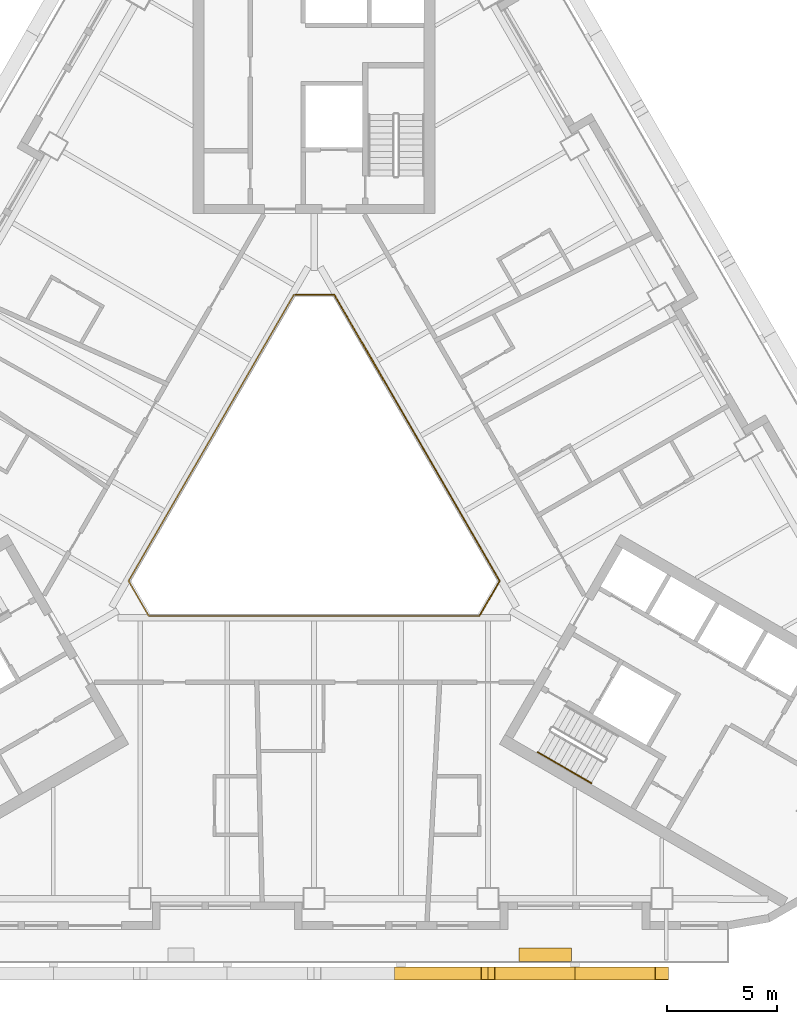
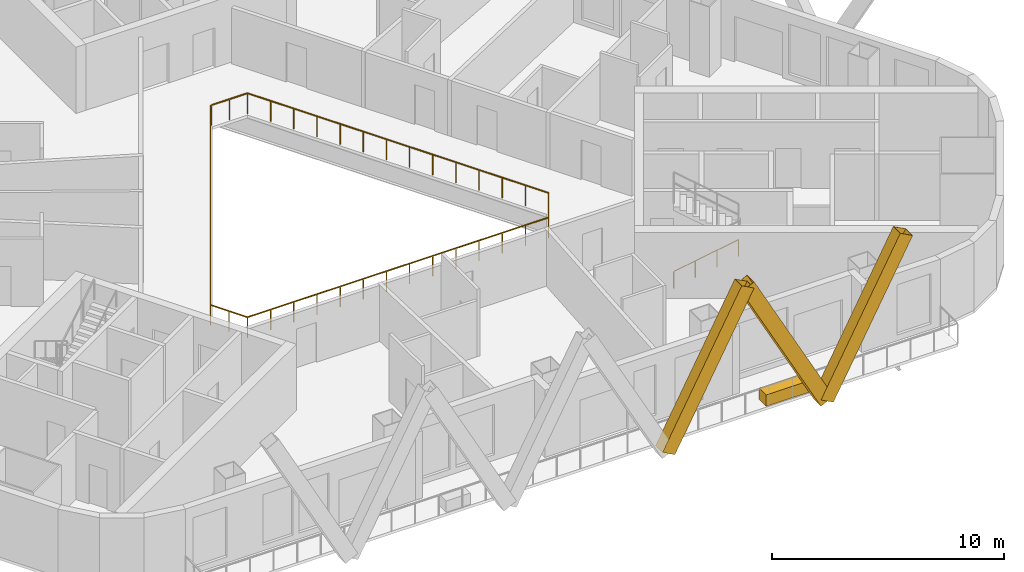
# One storey, part 10 of 13: 3 railings, 3 shading devices, 1 covering.
"""IFC4 building model written with IfcOpenShell, lengths in metres."""

import ifcopenshell
import ifcopenshell.guid

model = None  # the IFC model being written
_history = None  # IfcOwnerHistory: only IFC2X3 demands one
_inside = {}  # id of a spatial element -> (the spatial element, [elements in it])
_under = {}  # id of a project, library or spatial element -> (it, [spatial elements below it])
_declared = {}  # id of a project -> (the project, [libraries it declares])
_typed = {}  # id of a type object -> (the type object, [elements of that type])
_made_of = {}  # id of a material, layer set ... -> (it, [elements and type objects made of it])


def new_model(schema):
    """Start an empty IFC model of exactly this schema.

    Asked for "IFC4X3", IfcOpenShell would pick the latest addendum, in which some entities
    have other attributes; the version numbers below select the first issue.
    IFC2X3 requires an IfcOwnerHistory on every rooted entity: one is made here for all.
    """
    global model, _history
    if schema == "IFC4X3":
        model = ifcopenshell.file(schema_version=(4, 3, 0, 0))
    else:
        model = ifcopenshell.file(schema=schema)
    _inside.clear()
    _under.clear()
    _declared.clear()
    _typed.clear()
    _made_of.clear()
    _history = None
    if model.schema == "IFC2X3":
        org = make("IfcOrganization", Name="unknown")
        user = make(
            "IfcPersonAndOrganization",
            ThePerson=make("IfcPerson", FamilyName="unknown"),
            TheOrganization=org,
        )
        app = make(
            "IfcApplication",
            ApplicationDeveloper=org,
            Version="unknown",
            ApplicationFullName="unknown",
            ApplicationIdentifier="unknown",
        )
        _history = make(
            "IfcOwnerHistory",
            OwningUser=user,
            OwningApplication=app,
            ChangeAction="ADDED",
            CreationDate=0,
        )
    return model


def make(cls, **values):
    """One entity of the class cls with the attributes given. An attribute that is None is left unset."""
    return model.create_entity(
        cls, **{name: value for name, value in values.items() if value is not None}
    )


def rooted(cls, **values):
    """An entity with a GlobalId (a new one), such as an element, a storey or a relation."""
    return make(cls, GlobalId=ifcopenshell.guid.new(), OwnerHistory=_history, **values)


def si_unit(unit_type, name, prefix=None):
    """IfcSIUnit, for example si_unit("LENGTHUNIT", "METRE", prefix="MILLI")."""
    return make("IfcSIUnit", UnitType=unit_type, Prefix=prefix, Name=name)


def assignment(units):
    """IfcUnitAssignment: the units of a project."""
    return None if units is None else make("IfcUnitAssignment", Units=units)


def point(xyz):
    """IfcCartesianPoint."""
    return None if xyz is None else make("IfcCartesianPoint", Coordinates=xyz)


def direction(xyz):
    """IfcDirection."""
    return None if xyz is None else make("IfcDirection", DirectionRatios=xyz)


def frame(location, z_axis=None, x_axis=None):
    """IfcAxis2Placement3D, a coordinate frame: its origin and axes. An axis left out is left unset."""
    return make(
        "IfcAxis2Placement3D",
        Location=point(location),
        Axis=direction(z_axis),
        RefDirection=direction(x_axis),
    )


def frame_2d(location, x_axis=None):
    """IfcAxis2Placement2D, a coordinate frame in the plane: its origin and x axis."""
    return make(
        "IfcAxis2Placement2D", Location=point(location), RefDirection=direction(x_axis)
    )


def origin():
    """The frame at (0, 0, 0) with its axes left unset."""
    return frame((0.0, 0.0, 0.0))


def origin_2d():
    """The frame at (0, 0) in the plane with its x axis left unset."""
    return frame_2d((0.0, 0.0))


def place(relative_to, where):
    """IfcLocalPlacement: puts the frame where relative to a parent placement (None: the world)."""
    return make(
        "IfcLocalPlacement", PlacementRelTo=relative_to, RelativePlacement=where
    )


def context(
    kind, dimensions, precision=None, world=None, true_north=None, identifier=None
):
    """IfcGeometricRepresentationContext, for example the 3D "Model" context."""
    return make(
        "IfcGeometricRepresentationContext",
        ContextIdentifier=identifier,
        ContextType=kind,
        CoordinateSpaceDimension=dimensions,
        Precision=precision,
        WorldCoordinateSystem=world,
        TrueNorth=true_north,
    )


def subcontext(parent, identifier, kind, view, scale=None):
    """IfcGeometricRepresentationSubContext, for example "Body" below "Model"."""
    return make(
        "IfcGeometricRepresentationSubContext",
        ContextIdentifier=identifier,
        ContextType=kind,
        ParentContext=parent,
        TargetScale=scale,
        TargetView=view,
    )


def project(units=None, contexts=None):
    """IfcProject with its units and contexts."""
    return rooted(
        "IfcProject",
        Name="project",
        RepresentationContexts=contexts,
        UnitsInContext=assignment(units),
    )


def spatial(cls, under=None, at=None, **own):
    """A site, building, storey or space (cls), placed at a placement, below another one or the project."""
    s = rooted(cls, ObjectPlacement=at, **own)
    if under is not None:
        _under.setdefault(under.id(), (under, []))[1].append(s)
    return s


def profile(cls, at=None, kind="AREA", **sizes):
    """A parametric profile (cls). Its sizes go by their IFC names, for example OverallWidth=200.0."""
    return make(cls, ProfileType=kind, Position=at, **sizes)


def rectangle(**sizes):
    """IfcRectangleProfileDef."""
    return profile("IfcRectangleProfileDef", **sizes)


def hollow_rectangle(**sizes):
    """IfcRectangleHollowProfileDef."""
    return profile("IfcRectangleHollowProfileDef", **sizes)


def circle(**sizes):
    """IfcCircleProfileDef."""
    return profile("IfcCircleProfileDef", **sizes)


def extrude(swept, where, along, depth):
    """IfcExtrudedAreaSolid: the profile swept, set in the frame where, extruded along a direction by depth."""
    return make(
        "IfcExtrudedAreaSolid",
        SweptArea=swept,
        Position=where,
        ExtrudedDirection=direction(along),
        Depth=depth,
    )


def shape(context_of_items, identifier, shape_type, items):
    """IfcShapeRepresentation: the items that make up one representation, for example the "Body"."""
    return make(
        "IfcShapeRepresentation",
        ContextOfItems=context_of_items,
        RepresentationIdentifier=identifier,
        RepresentationType=shape_type,
        Items=items,
    )


def material(Name=None, Category=None):
    """IfcMaterial."""
    return make("IfcMaterial", Name=Name, Category=Category)


def material_profile(
    of_material, cross_section, Name=None, Category=None, Priority=None
):
    """IfcMaterialProfile: a cross section and its material."""
    return make(
        "IfcMaterialProfile",
        Name=Name,
        Material=of_material,
        Profile=cross_section,
        Priority=Priority,
        Category=Category,
    )


def profile_set(profiles, Name=None, composite=None):
    """IfcMaterialProfileSet."""
    return make(
        "IfcMaterialProfileSet",
        Name=Name,
        MaterialProfiles=profiles,
        CompositeProfile=composite,
    )


def made_of(thing, what):
    """Note that an element or type object is made of a material, layer set ...; save() writes the relation."""
    if what is not None:
        _made_of.setdefault(what.id(), (what, []))[1].append(thing)
    return thing


def type_object(cls, material=None, **own):
    """A type object (cls), such as IfcWallType, which elements share."""
    return made_of(rooted(cls, **own), material)


def element(
    cls,
    number,
    at=None,
    inside=None,
    cuts=None,
    type_object=None,
    material=None,
    context=None,
    identifier="Body",
    shape_type=None,
    held_by="IfcProductDefinitionShape",
    body=None,
    shapes=None,
    **own,
):
    """One element of the class cls, such as IfcWall. Its Tag is "e" and its number.

    at: its placement. inside: the storey or other place that contains it. cuts: it is an
    opening in that element (IfcRelVoidsElement). A single representation is given by context,
    identifier, shape_type and body (its items); several are given by shapes. held_by: the class
    of the entity that holds the representations. save() writes the other relations.
    """
    e = rooted(cls, Tag="e%d" % number, ObjectPlacement=at, **own)
    if body is not None:
        shapes = [shape(context, identifier, shape_type, body)]
    if shapes is not None:
        e.Representation = make(held_by, Representations=shapes)
    if inside is not None:
        _inside.setdefault(inside.id(), (inside, []))[1].append(e)
    if cuts is not None:
        rooted(
            "IfcRelVoidsElement", RelatingBuildingElement=cuts, RelatedOpeningElement=e
        )
    if type_object is not None:
        _typed.setdefault(type_object.id(), (type_object, []))[1].append(e)
    return made_of(e, material)


def aggregate(whole, parts):
    """IfcRelAggregates: a whole, such as a stair, and the parts it consists of."""
    return rooted("IfcRelAggregates", RelatingObject=whole, RelatedObjects=parts)


def save(model, path):
    """Write the relations noted so far, then the file.

    IfcRelAggregates (storeys below a building ...), IfcRelContainedInSpatialStructure (elements
    in a storey), IfcRelDefinesByType, IfcRelAssociatesMaterial and IfcRelDeclares: one each for
    every whole, place, type object, material and project.
    """
    for whole, parts in _under.values():
        aggregate(whole, parts)
    for where, things in _inside.values():
        rooted(
            "IfcRelContainedInSpatialStructure",
            RelatedElements=things,
            RelatingStructure=where,
        )
    for kind, things in _typed.values():
        rooted("IfcRelDefinesByType", RelatedObjects=things, RelatingType=kind)
    for what, things in _made_of.values():
        rooted("IfcRelAssociatesMaterial", RelatedObjects=things, RelatingMaterial=what)
    for by, libraries in _declared.values():
        rooted("IfcRelDeclares", RelatingContext=by, RelatedDefinitions=libraries)
    model.write(path)


model = new_model("IFC4")

# Units and contexts
model_context = context("Model", 3, precision=1e-05, world=origin(), true_north=direction((0.0, 1.0)))
body_context = subcontext(model_context, "Body", "Model", "MODEL_VIEW")
ifc_project = project(units=[si_unit("LENGTHUNIT", "METRE"), si_unit("AREAUNIT", "SQUARE_METRE"), si_unit("VOLUMEUNIT", "CUBIC_METRE"), si_unit("PLANEANGLEUNIT", "RADIAN"), si_unit("MASSUNIT", "GRAM", prefix="KILO")], contexts=[model_context])

# Site, building, storey
site_placement = place(None, origin())
site = spatial("IfcSite", under=ifc_project, at=site_placement, CompositionType="ELEMENT")
building_placement = place(site_placement, origin())
building = spatial("IfcBuilding", under=site, at=building_placement, Name="Apuvela Tower Hotel", CompositionType="ELEMENT")
storey_placement = place(building_placement, frame((0.0, 0.0, 83.5)))
storey = spatial("IfcBuildingStorey", under=building, at=storey_placement, Name="L18", CompositionType="ELEMENT", Elevation=83.5)

# Railing
ifc_material_1 = material(Name="Stainless steel 316 handrail", Category="steel")
railing_type_1 = type_object("IfcRailingType", Name="COR-HANDRAIL-900", PredefinedType="HANDRAIL", material=ifc_material_1)
railing_1_placement = place(storey_placement, frame((10.1689453125, -11.5869140625, 0.168212890625)))
element("IfcRailing", 1, at=railing_1_placement, inside=storey, type_object=railing_type_1, Name="L18 ST3 stair handrail 1", PredefinedType="HANDRAIL", context=body_context, shape_type="SweptSolid", body=[
    extrude(circle(Radius=0.02392578125, at=origin_2d()), frame((0.0, 0.0, 0.8759765625), z_axis=(0.742390482028, -0.42860119049, 0.514934356695), x_axis=(0.49998411664, 0.866034573852, 0.0)), (0.0, 0.0, 1.0), 3.26611328125),
    extrude(rectangle(XDim=0.0419921875, YDim=0.0419921875, at=origin_2d()), origin(), (0.0, 0.0, 1.0), 0.851806640625),
    extrude(rectangle(XDim=0.0419921875, YDim=0.0419921875, at=origin_2d()), frame((0.808349609375, -0.466552734375, 0.560546875)), (0.0, 0.0, 1.0), 0.851806640625),
    extrude(rectangle(XDim=0.0419921875, YDim=0.0419921875, at=origin_2d()), frame((1.616455078125, -0.933349609375, 1.121337890625)), (0.0, 0.0, 1.0), 0.851806640625),
    extrude(rectangle(XDim=0.0419921875, YDim=0.0419921875, at=origin_2d()), frame((2.4248046875, -1.39990234375, 1.681884765625)), (0.0, 0.0, 1.0), 0.851806640625),
])

# Shading devices
ifc_material_2 = material(Name="Aluminium 6063-T6, black anodised", Category="aluminium")
ifc_material_profile = material_profile(ifc_material_2, hollow_rectangle(XDim=0.60009765625, YDim=0.699951171875, WallThickness=0.011962890625, at=origin_2d()), Name="AL BOX 700x600x12")
ifc_profile_set = profile_set([ifc_material_profile], Name="Aluminium 6063-T6, black anodised")
shading_device_type = type_object("IfcShadingDeviceType", Name="ENV-FIN-700x600", PredefinedType="USERDEFINED", material=ifc_profile_set)
for number, where, z_axis, x_axis, name in (
    (2, (3.949951171875, -21.6298828125, -0.10009765625), (0.470885802113, 0.0, 0.882194174413), (0.0, 1.0, 0.0), "Lattice fin S46"),
    (3, (11.85009765625, -21.6298828125, -0.10009765625), (-0.470908452903, 0.0, 0.882182083804), (0.0, -1.0, 0.0), "Lattice fin S47"),
    (4, (11.85009765625, -21.6298828125, -0.10009765625), (0.470885802113, 0.0, 0.882194174413), (0.0, 1.0, 0.0), "Lattice fin S48"),
):
    element("IfcShadingDevice", number, at=place(storey_placement, frame(where, z_axis=z_axis, x_axis=x_axis)), inside=storey, type_object=shading_device_type, Name=name, ObjectType="FIN", PredefinedType="USERDEFINED", context=body_context, shape_type="SweptSolid", body=[
        extrude(hollow_rectangle(XDim=0.60009765625, YDim=0.699951171875, WallThickness=0.011962890625, at=origin_2d()), origin(), (0.0, 0.0, 1.0), 8.388427734375),
    ])

# Railings
ifc_material_3 = material(Name="Stainless steel 316 rail with laminated glass infill", Category="steel")
railing_type_2 = type_object("IfcRailingType", Name="ENV-GUARD-1100", PredefinedType="GUARDRAIL", material=ifc_material_3)
railing_2_placement = place(storey_placement, frame((-0.923828125, 9.199951171875, 0.0)))
element("IfcRailing", 5, at=railing_2_placement, inside=storey, type_object=railing_type_2, Name="Atrium void guard A L18", PredefinedType="GUARDRAIL", context=body_context, shape_type="SweptSolid", body=[
    extrude(rectangle(XDim=0.050048828125, YDim=0.050048828125, at=origin_2d()), frame((0.0, 0.0, 1.0751953125), z_axis=(-0.499990886379, -0.866030665472, 0.0), x_axis=(0.866030665472, -0.499990886379, 0.0)), (0.0, 0.0, 1.0), 15.010986328125),
    extrude(rectangle(XDim=0.050048828125, YDim=0.050048828125, at=origin_2d()), frame((-7.50537109375, -13.0, 1.0751953125), z_axis=(0.499962699187, -0.866046938348, 0.0), x_axis=(0.866046938348, 0.499962699187, 0.0)), (0.0, 0.0, 1.0), 1.847412109375),
    extrude(rectangle(XDim=0.050048828125, YDim=0.050048828125, at=origin_2d()), frame((-6.581787109375, -14.599853515625, 1.0751953125), z_axis=(1.0, 0.0, 0.0), x_axis=(0.0, 1.0, 0.0)), (0.0, 0.0, 1.0), 15.01123046875),
    extrude(rectangle(XDim=0.0400390625, YDim=0.0400390625, at=origin_2d()), origin(), (0.0, 0.0, 1.0), 1.050048828125),
    extrude(rectangle(XDim=0.0400390625, YDim=0.0400390625, at=origin_2d()), frame((-0.577392578125, -1.0, 0.0)), (0.0, 0.0, 1.0), 1.050048828125),
    extrude(rectangle(XDim=0.0400390625, YDim=0.0400390625, at=origin_2d()), frame((-1.15478515625, -2.0, 0.0)), (0.0, 0.0, 1.0), 1.050048828125),
    extrude(rectangle(XDim=0.0400390625, YDim=0.0400390625, at=origin_2d()), frame((-1.73193359375, -3.0, 0.0)), (0.0, 0.0, 1.0), 1.050048828125),
    extrude(rectangle(XDim=0.0400390625, YDim=0.0400390625, at=origin_2d()), frame((-2.309326171875, -4.0, 0.0)), (0.0, 0.0, 1.0), 1.050048828125),
    extrude(rectangle(XDim=0.0400390625, YDim=0.0400390625, at=origin_2d()), frame((-2.88671875, -5.0, 0.0)), (0.0, 0.0, 1.0), 1.050048828125),
    extrude(rectangle(XDim=0.0400390625, YDim=0.0400390625, at=origin_2d()), frame((-3.464111328125, -6.0, 0.0)), (0.0, 0.0, 1.0), 1.050048828125),
    extrude(rectangle(XDim=0.0400390625, YDim=0.0400390625, at=origin_2d()), frame((-4.041259765625, -7.0, 0.0)), (0.0, 0.0, 1.0), 1.050048828125),
    extrude(rectangle(XDim=0.0400390625, YDim=0.0400390625, at=origin_2d()), frame((-4.61865234375, -8.0, 0.0)), (0.0, 0.0, 1.0), 1.050048828125),
    extrude(rectangle(XDim=0.0400390625, YDim=0.0400390625, at=origin_2d()), frame((-5.196044921875, -9.0, 0.0)), (0.0, 0.0, 1.0), 1.050048828125),
    extrude(rectangle(XDim=0.0400390625, YDim=0.0400390625, at=origin_2d()), frame((-5.7734375, -10.0, 0.0)), (0.0, 0.0, 1.0), 1.050048828125),
    extrude(rectangle(XDim=0.0400390625, YDim=0.0400390625, at=origin_2d()), frame((-6.3505859375, -11.0, 0.0)), (0.0, 0.0, 1.0), 1.050048828125),
    extrude(rectangle(XDim=0.0400390625, YDim=0.0400390625, at=origin_2d()), frame((-6.927978515625, -12.0, 0.0)), (0.0, 0.0, 1.0), 1.050048828125),
    extrude(rectangle(XDim=0.0400390625, YDim=0.0400390625, at=origin_2d()), frame((-7.50537109375, -13.0, 0.0)), (0.0, 0.0, 1.0), 1.050048828125),
    extrude(rectangle(XDim=0.0400390625, YDim=0.0400390625, at=origin_2d()), frame((-7.04345703125, -13.7998046875, 0.0)), (0.0, 0.0, 1.0), 1.050048828125),
    extrude(rectangle(XDim=0.0400390625, YDim=0.0400390625, at=origin_2d()), frame((-6.581787109375, -14.599853515625, 0.0)), (0.0, 0.0, 1.0), 1.050048828125),
    extrude(rectangle(XDim=0.0400390625, YDim=0.0400390625, at=origin_2d()), frame((-5.427001953125, -14.599853515625, 0.0)), (0.0, 0.0, 1.0), 1.050048828125),
    extrude(rectangle(XDim=0.0400390625, YDim=0.0400390625, at=origin_2d()), frame((-4.2724609375, -14.599853515625, 0.0)), (0.0, 0.0, 1.0), 1.050048828125),
    extrude(rectangle(XDim=0.0400390625, YDim=0.0400390625, at=origin_2d()), frame((-3.11767578125, -14.599853515625, 0.0)), (0.0, 0.0, 1.0), 1.050048828125),
    extrude(rectangle(XDim=0.0400390625, YDim=0.0400390625, at=origin_2d()), frame((-1.962890625, -14.599853515625, 0.0)), (0.0, 0.0, 1.0), 1.050048828125),
    extrude(rectangle(XDim=0.0400390625, YDim=0.0400390625, at=origin_2d()), frame((-0.808349609375, -14.599853515625, 0.0)), (0.0, 0.0, 1.0), 1.050048828125),
    extrude(rectangle(XDim=0.0400390625, YDim=0.0400390625, at=origin_2d()), frame((0.346435546875, -14.599853515625, 0.0)), (0.0, 0.0, 1.0), 1.050048828125),
    extrude(rectangle(XDim=0.0400390625, YDim=0.0400390625, at=origin_2d()), frame((1.501220703125, -14.599853515625, 0.0)), (0.0, 0.0, 1.0), 1.050048828125),
    extrude(rectangle(XDim=0.0400390625, YDim=0.0400390625, at=origin_2d()), frame((2.656005859375, -14.599853515625, 0.0)), (0.0, 0.0, 1.0), 1.050048828125),
    extrude(rectangle(XDim=0.0400390625, YDim=0.0400390625, at=origin_2d()), frame((3.810546875, -14.599853515625, 0.0)), (0.0, 0.0, 1.0), 1.050048828125),
    extrude(rectangle(XDim=0.0400390625, YDim=0.0400390625, at=origin_2d()), frame((4.96533203125, -14.599853515625, 0.0)), (0.0, 0.0, 1.0), 1.050048828125),
    extrude(rectangle(XDim=0.0400390625, YDim=0.0400390625, at=origin_2d()), frame((6.1201171875, -14.599853515625, 0.0)), (0.0, 0.0, 1.0), 1.050048828125),
    extrude(rectangle(XDim=0.0400390625, YDim=0.0400390625, at=origin_2d()), frame((7.274658203125, -14.599853515625, 0.0)), (0.0, 0.0, 1.0), 1.050048828125),
    extrude(rectangle(XDim=0.0400390625, YDim=0.0400390625, at=origin_2d()), frame((8.429443359375, -14.599853515625, 0.0)), (0.0, 0.0, 1.0), 1.050048828125),
])
railing_3_placement = place(storey_placement, frame((7.53564453125, -5.347900390625, 0.0)))
element("IfcRailing", 6, at=railing_3_placement, inside=storey, type_object=railing_type_2, Name="Atrium void guard B L18", PredefinedType="GUARDRAIL", context=body_context, shape_type="SweptSolid", body=[
    extrude(rectangle(XDim=0.050048828125, YDim=0.050048828125, at=origin_2d()), frame((0.0, 0.0, 1.0751953125), z_axis=(0.499958946799, 0.866049104564, 0.0), x_axis=(-0.866049104564, 0.499958946799, 0.0)), (0.0, 0.0, 1.0), 1.787353515625),
    extrude(rectangle(XDim=0.050048828125, YDim=0.050048828125, at=origin_2d()), frame((0.8935546875, 1.5478515625, 1.0751953125), z_axis=(-0.499990886379, 0.866030665472, 0.0), x_axis=(-0.866030665472, -0.499990886379, 0.0)), (0.0, 0.0, 1.0), 15.010986328125),
    extrude(rectangle(XDim=0.050048828125, YDim=0.050048828125, at=origin_2d()), frame((-6.61181640625, 14.5478515625, 1.0751953125), z_axis=(-1.0, 0.0, 0.0), x_axis=(0.0, -1.0, 0.0)), (0.0, 0.0, 1.0), 1.78759765625),
    extrude(rectangle(XDim=0.0400390625, YDim=0.0400390625, at=origin_2d()), origin(), (0.0, 0.0, 1.0), 1.050048828125),
    extrude(rectangle(XDim=0.0400390625, YDim=0.0400390625, at=origin_2d()), frame((0.44677734375, 0.77392578125, 0.0)), (0.0, 0.0, 1.0), 1.050048828125),
    extrude(rectangle(XDim=0.0400390625, YDim=0.0400390625, at=origin_2d()), frame((0.8935546875, 1.5478515625, 0.0)), (0.0, 0.0, 1.0), 1.050048828125),
    extrude(rectangle(XDim=0.0400390625, YDim=0.0400390625, at=origin_2d()), frame((0.316162109375, 2.5478515625, 0.0)), (0.0, 0.0, 1.0), 1.050048828125),
    extrude(rectangle(XDim=0.0400390625, YDim=0.0400390625, at=origin_2d()), frame((-0.26123046875, 3.5478515625, 0.0)), (0.0, 0.0, 1.0), 1.050048828125),
    extrude(rectangle(XDim=0.0400390625, YDim=0.0400390625, at=origin_2d()), frame((-0.83837890625, 4.5478515625, 0.0)), (0.0, 0.0, 1.0), 1.050048828125),
    extrude(rectangle(XDim=0.0400390625, YDim=0.0400390625, at=origin_2d()), frame((-1.415771484375, 5.5478515625, 0.0)), (0.0, 0.0, 1.0), 1.050048828125),
    extrude(rectangle(XDim=0.0400390625, YDim=0.0400390625, at=origin_2d()), frame((-1.9931640625, 6.5478515625, 0.0)), (0.0, 0.0, 1.0), 1.050048828125),
    extrude(rectangle(XDim=0.0400390625, YDim=0.0400390625, at=origin_2d()), frame((-2.570556640625, 7.5478515625, 0.0)), (0.0, 0.0, 1.0), 1.050048828125),
    extrude(rectangle(XDim=0.0400390625, YDim=0.0400390625, at=origin_2d()), frame((-3.147705078125, 8.5478515625, 0.0)), (0.0, 0.0, 1.0), 1.050048828125),
    extrude(rectangle(XDim=0.0400390625, YDim=0.0400390625, at=origin_2d()), frame((-3.72509765625, 9.5478515625, 0.0)), (0.0, 0.0, 1.0), 1.050048828125),
    extrude(rectangle(XDim=0.0400390625, YDim=0.0400390625, at=origin_2d()), frame((-4.302490234375, 10.5478515625, 0.0)), (0.0, 0.0, 1.0), 1.050048828125),
    extrude(rectangle(XDim=0.0400390625, YDim=0.0400390625, at=origin_2d()), frame((-4.8798828125, 11.5478515625, 0.0)), (0.0, 0.0, 1.0), 1.050048828125),
    extrude(rectangle(XDim=0.0400390625, YDim=0.0400390625, at=origin_2d()), frame((-5.45703125, 12.5478515625, 0.0)), (0.0, 0.0, 1.0), 1.050048828125),
    extrude(rectangle(XDim=0.0400390625, YDim=0.0400390625, at=origin_2d()), frame((-6.034423828125, 13.5478515625, 0.0)), (0.0, 0.0, 1.0), 1.050048828125),
    extrude(rectangle(XDim=0.0400390625, YDim=0.0400390625, at=origin_2d()), frame((-6.61181640625, 14.5478515625, 0.0)), (0.0, 0.0, 1.0), 1.050048828125),
    extrude(rectangle(XDim=0.0400390625, YDim=0.0400390625, at=origin_2d()), frame((-7.505615234375, 14.5478515625, 0.0)), (0.0, 0.0, 1.0), 1.050048828125),
    extrude(rectangle(XDim=0.0400390625, YDim=0.0400390625, at=origin_2d()), frame((-8.3994140625, 14.5478515625, 0.0)), (0.0, 0.0, 1.0), 1.050048828125),
])

# Covering
ifc_material_4 = material(Name="Planting substrate and soil, planted")
covering_type = type_object("IfcCoveringType", Name="ENV-PLANTER-2400x600", PredefinedType="USERDEFINED", material=ifc_material_4)
covering_placement = place(storey_placement, frame((10.5, -20.780029296875, 0.0), z_axis=(0.0, 0.0, 1.0), x_axis=(1.0, 0.0, 0.0)))
element("IfcCovering", 7, at=covering_placement, inside=storey, type_object=covering_type, Name="Planter S2", ObjectType="PLANTER", PredefinedType="USERDEFINED", context=body_context, shape_type="SweptSolid", body=[
    extrude(rectangle(XDim=2.39990234375, YDim=0.60009765625, at=origin_2d()), origin(), (0.0, 0.0, 1.0), 0.60009765625),
])

save(model, "model.ifc")
